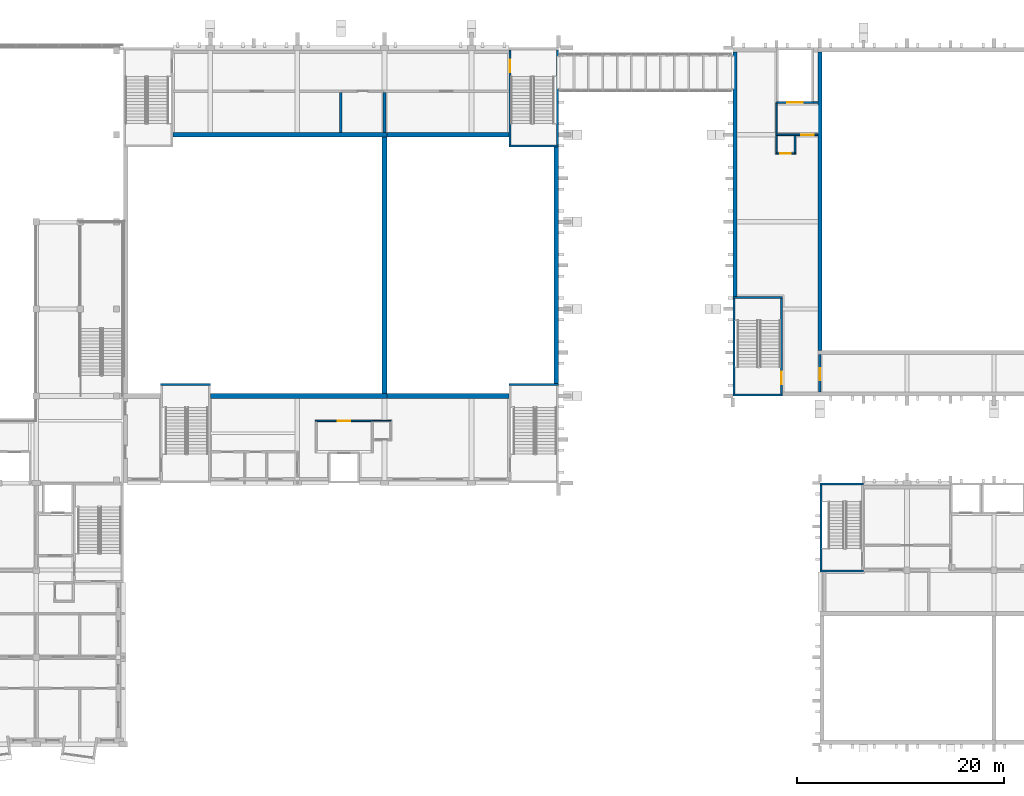
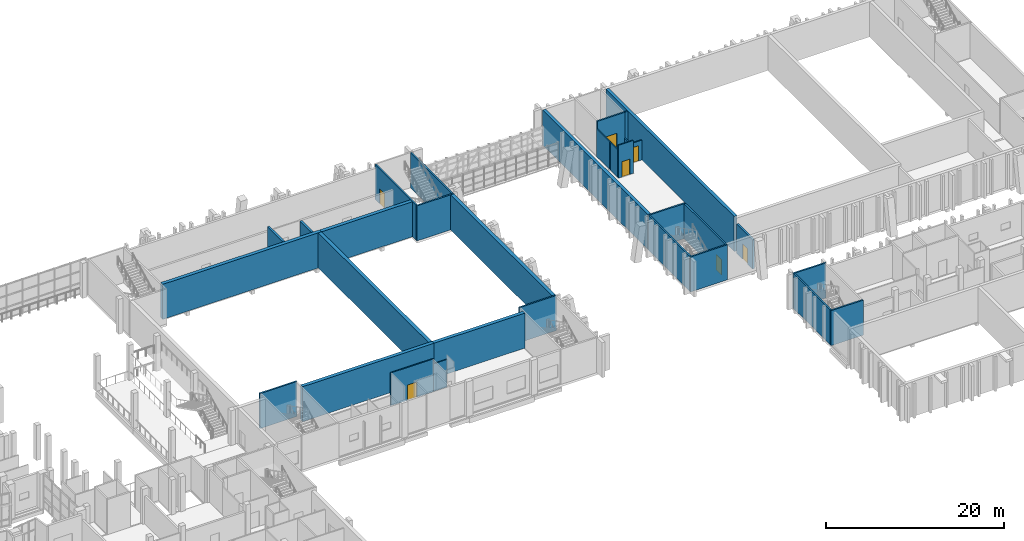
# One storey, part 36 of 91: 32 walls, 7 doors, 7 openings.
"""IFC4 building model written with IfcOpenShell, lengths in metres."""

import ifcopenshell
import ifcopenshell.guid

model = None  # the IFC model being written
_history = None  # IfcOwnerHistory: only IFC2X3 demands one
_inside = {}  # id of a spatial element -> (the spatial element, [elements in it])
_under = {}  # id of a project, library or spatial element -> (it, [spatial elements below it])
_declared = {}  # id of a project -> (the project, [libraries it declares])
_typed = {}  # id of a type object -> (the type object, [elements of that type])
_made_of = {}  # id of a material, layer set ... -> (it, [elements and type objects made of it])


def new_model(schema):
    """Start an empty IFC model of exactly this schema.

    Asked for "IFC4X3", IfcOpenShell would pick the latest addendum, in which some entities
    have other attributes; the version numbers below select the first issue.
    IFC2X3 requires an IfcOwnerHistory on every rooted entity: one is made here for all.
    """
    global model, _history
    if schema == "IFC4X3":
        model = ifcopenshell.file(schema_version=(4, 3, 0, 0))
    else:
        model = ifcopenshell.file(schema=schema)
    _inside.clear()
    _under.clear()
    _declared.clear()
    _typed.clear()
    _made_of.clear()
    _history = None
    if model.schema == "IFC2X3":
        org = make("IfcOrganization", Name="unknown")
        user = make(
            "IfcPersonAndOrganization",
            ThePerson=make("IfcPerson", FamilyName="unknown"),
            TheOrganization=org,
        )
        app = make(
            "IfcApplication",
            ApplicationDeveloper=org,
            Version="unknown",
            ApplicationFullName="unknown",
            ApplicationIdentifier="unknown",
        )
        _history = make(
            "IfcOwnerHistory",
            OwningUser=user,
            OwningApplication=app,
            ChangeAction="ADDED",
            CreationDate=0,
        )
    return model


def make(cls, **values):
    """One entity of the class cls with the attributes given. An attribute that is None is left unset."""
    return model.create_entity(
        cls, **{name: value for name, value in values.items() if value is not None}
    )


def rooted(cls, **values):
    """An entity with a GlobalId (a new one), such as an element, a storey or a relation."""
    return make(cls, GlobalId=ifcopenshell.guid.new(), OwnerHistory=_history, **values)


def si_unit(unit_type, name, prefix=None):
    """IfcSIUnit, for example si_unit("LENGTHUNIT", "METRE", prefix="MILLI")."""
    return make("IfcSIUnit", UnitType=unit_type, Prefix=prefix, Name=name)


def assignment(units):
    """IfcUnitAssignment: the units of a project."""
    return None if units is None else make("IfcUnitAssignment", Units=units)


def point(xyz):
    """IfcCartesianPoint."""
    return None if xyz is None else make("IfcCartesianPoint", Coordinates=xyz)


def direction(xyz):
    """IfcDirection."""
    return None if xyz is None else make("IfcDirection", DirectionRatios=xyz)


def frame(location, z_axis=None, x_axis=None):
    """IfcAxis2Placement3D, a coordinate frame: its origin and axes. An axis left out is left unset."""
    return make(
        "IfcAxis2Placement3D",
        Location=point(location),
        Axis=direction(z_axis),
        RefDirection=direction(x_axis),
    )


def frame_2d(location, x_axis=None):
    """IfcAxis2Placement2D, a coordinate frame in the plane: its origin and x axis."""
    return make(
        "IfcAxis2Placement2D", Location=point(location), RefDirection=direction(x_axis)
    )


def origin():
    """The frame at (0, 0, 0) with its axes left unset."""
    return frame((0.0, 0.0, 0.0))


def place(relative_to, where):
    """IfcLocalPlacement: puts the frame where relative to a parent placement (None: the world)."""
    return make(
        "IfcLocalPlacement", PlacementRelTo=relative_to, RelativePlacement=where
    )


def context(
    kind, dimensions, precision=None, world=None, true_north=None, identifier=None
):
    """IfcGeometricRepresentationContext, for example the 3D "Model" context."""
    return make(
        "IfcGeometricRepresentationContext",
        ContextIdentifier=identifier,
        ContextType=kind,
        CoordinateSpaceDimension=dimensions,
        Precision=precision,
        WorldCoordinateSystem=world,
        TrueNorth=true_north,
    )


def subcontext(parent, identifier, kind, view, scale=None):
    """IfcGeometricRepresentationSubContext, for example "Body" below "Model"."""
    return make(
        "IfcGeometricRepresentationSubContext",
        ContextIdentifier=identifier,
        ContextType=kind,
        ParentContext=parent,
        TargetScale=scale,
        TargetView=view,
    )


def project(units=None, contexts=None):
    """IfcProject with its units and contexts."""
    return rooted(
        "IfcProject",
        Name="project",
        RepresentationContexts=contexts,
        UnitsInContext=assignment(units),
    )


def spatial(cls, under=None, at=None, **own):
    """A site, building, storey or space (cls), placed at a placement, below another one or the project."""
    s = rooted(cls, ObjectPlacement=at, **own)
    if under is not None:
        _under.setdefault(under.id(), (under, []))[1].append(s)
    return s


def profile(cls, at=None, kind="AREA", **sizes):
    """A parametric profile (cls). Its sizes go by their IFC names, for example OverallWidth=200.0."""
    return make(cls, ProfileType=kind, Position=at, **sizes)


def rectangle(**sizes):
    """IfcRectangleProfileDef."""
    return profile("IfcRectangleProfileDef", **sizes)


def extrude(swept, where, along, depth):
    """IfcExtrudedAreaSolid: the profile swept, set in the frame where, extruded along a direction by depth."""
    return make(
        "IfcExtrudedAreaSolid",
        SweptArea=swept,
        Position=where,
        ExtrudedDirection=direction(along),
        Depth=depth,
    )


def shape(context_of_items, identifier, shape_type, items):
    """IfcShapeRepresentation: the items that make up one representation, for example the "Body"."""
    return make(
        "IfcShapeRepresentation",
        ContextOfItems=context_of_items,
        RepresentationIdentifier=identifier,
        RepresentationType=shape_type,
        Items=items,
    )


def material(Name=None, Category=None):
    """IfcMaterial."""
    return make("IfcMaterial", Name=Name, Category=Category)


def layer(
    of_material, thickness, ventilated=None, Name=None, Category=None, Priority=None
):
    """IfcMaterialLayer: one layer of a wall or slab, of a material (None: an air gap)."""
    return make(
        "IfcMaterialLayer",
        Material=of_material,
        LayerThickness=thickness,
        IsVentilated=ventilated,
        Name=Name,
        Category=Category,
        Priority=Priority,
    )


def layer_set(layers, Name=None):
    """IfcMaterialLayerSet."""
    return make("IfcMaterialLayerSet", MaterialLayers=layers, LayerSetName=Name)


def made_of(thing, what):
    """Note that an element or type object is made of a material, layer set ...; save() writes the relation."""
    if what is not None:
        _made_of.setdefault(what.id(), (what, []))[1].append(thing)
    return thing


def type_object(cls, material=None, **own):
    """A type object (cls), such as IfcWallType, which elements share."""
    return made_of(rooted(cls, **own), material)


def element(
    cls,
    number,
    at=None,
    inside=None,
    cuts=None,
    type_object=None,
    material=None,
    context=None,
    identifier="Body",
    shape_type=None,
    held_by="IfcProductDefinitionShape",
    body=None,
    shapes=None,
    **own,
):
    """One element of the class cls, such as IfcWall. Its Tag is "e" and its number.

    at: its placement. inside: the storey or other place that contains it. cuts: it is an
    opening in that element (IfcRelVoidsElement). A single representation is given by context,
    identifier, shape_type and body (its items); several are given by shapes. held_by: the class
    of the entity that holds the representations. save() writes the other relations.
    """
    e = rooted(cls, Tag="e%d" % number, ObjectPlacement=at, **own)
    if body is not None:
        shapes = [shape(context, identifier, shape_type, body)]
    if shapes is not None:
        e.Representation = make(held_by, Representations=shapes)
    if inside is not None:
        _inside.setdefault(inside.id(), (inside, []))[1].append(e)
    if cuts is not None:
        rooted(
            "IfcRelVoidsElement", RelatingBuildingElement=cuts, RelatedOpeningElement=e
        )
    if type_object is not None:
        _typed.setdefault(type_object.id(), (type_object, []))[1].append(e)
    return made_of(e, material)


def fill(opening, filler):
    """IfcRelFillsElement: the door or window that sits in an opening."""
    return rooted(
        "IfcRelFillsElement",
        RelatingOpeningElement=opening,
        RelatedBuildingElement=filler,
    )


def aggregate(whole, parts):
    """IfcRelAggregates: a whole, such as a stair, and the parts it consists of."""
    return rooted("IfcRelAggregates", RelatingObject=whole, RelatedObjects=parts)


def save(model, path):
    """Write the relations noted so far, then the file.

    IfcRelAggregates (storeys below a building ...), IfcRelContainedInSpatialStructure (elements
    in a storey), IfcRelDefinesByType, IfcRelAssociatesMaterial and IfcRelDeclares: one each for
    every whole, place, type object, material and project.
    """
    for whole, parts in _under.values():
        aggregate(whole, parts)
    for where, things in _inside.values():
        rooted(
            "IfcRelContainedInSpatialStructure",
            RelatedElements=things,
            RelatingStructure=where,
        )
    for kind, things in _typed.values():
        rooted("IfcRelDefinesByType", RelatedObjects=things, RelatingType=kind)
    for what, things in _made_of.values():
        rooted("IfcRelAssociatesMaterial", RelatedObjects=things, RelatingMaterial=what)
    for by, libraries in _declared.values():
        rooted("IfcRelDeclares", RelatingContext=by, RelatedDefinitions=libraries)
    model.write(path)


model = new_model("IFC4")

# Units and contexts
model_context = context("Model", 3, precision=1e-05, world=origin(), true_north=direction((0.0, 1.0)))
body_context = subcontext(model_context, "Body", "Model", "MODEL_VIEW")
ifc_project = project(units=[si_unit("LENGTHUNIT", "METRE"), si_unit("AREAUNIT", "SQUARE_METRE"), si_unit("VOLUMEUNIT", "CUBIC_METRE"), si_unit("PLANEANGLEUNIT", "RADIAN"), si_unit("MASSUNIT", "GRAM", prefix="KILO")], contexts=[model_context])

# Site, building, storey
site_placement = place(None, origin())
site = spatial("IfcSite", under=ifc_project, at=site_placement, CompositionType="ELEMENT")
building_placement = place(site_placement, origin())
building = spatial("IfcBuilding", under=site, at=building_placement, Name="Kiln Court Media Centre", CompositionType="ELEMENT")
storey_placement = place(building_placement, frame((0.0, 0.0, 5.39990234375)))
storey = spatial("IfcBuildingStorey", under=building, at=storey_placement, Name="L01", CompositionType="ELEMENT", Elevation=5.39990234375)

# Wall, opening, door
ifc_material_1 = material(Name="Concrete block masonry M7.5", Category="masonry")
ifc_layer_1 = layer(ifc_material_1, 0.14990234375)
ifc_layer_set_1 = layer_set([ifc_layer_1], Name="Block lobby wall 150 EI 120")
wall_type_1 = type_object("IfcWallType", Name="Block lobby wall 150 EI 120", PredefinedType="SOLIDWALL", material=ifc_layer_set_1)
wall_1_placement = place(storey_placement, frame((77.324951171875, 31.199951171875, 0.0), z_axis=(0.0, 0.0, 1.0), x_axis=(1.0, 0.0, 0.0)))
wall_1 = element("IfcWall", 1, at=wall_1_placement, inside=storey, type_object=wall_type_1, Name="L01 block lobby wall", PredefinedType="SOLIDWALL", context=body_context, shape_type="SweptSolid", body=[
    extrude(rectangle(XDim=5.550048828125, YDim=0.14990234375, at=frame_2d((2.77490234375, 0.0))), origin(), (0.0, 0.0, 1.0), 4.5),
])
opening_1_placement = place(wall_1_placement, frame((2.175048828125, 0.0, 0.0)))
opening_1 = element("IfcOpeningElement", 2, at=opening_1_placement, cuts=wall_1, Name="Opening D1022", PredefinedType="OPENING", context=body_context, shape_type="SweptSolid", body=[
    extrude(rectangle(XDim=1.199951171875, YDim=2.10009765625, at=frame_2d((0.60009765625, 1.050048828125))), frame((0.0, 0.0849609375, 0.0), z_axis=(0.0, -1.0, 0.0), x_axis=(1.0, 0.0, 0.0)), (0.0, 0.0, 1.0), 0.169921875),
])
ifc_material_2 = material(Name="Steel S275", Category="steel")
door_type_1 = type_object("IfcDoorType", Name="Steel lobby door 1200 x 2100 FD120", OperationType="SINGLE_SWING_LEFT", PredefinedType="DOOR", material=ifc_material_2)
door_1_placement = place(opening_1_placement, origin())
door_1 = element("IfcDoor", 3, at=door_1_placement, inside=storey, type_object=door_type_1, Name="Cinema Lounge / Fire-fighting Lift Lobby", OperationType="SINGLE_SWING_LEFT", OverallHeight=2.10009765625, OverallWidth=1.199951171875, PredefinedType="DOOR", context=body_context, shape_type="SweptSolid", body=[
    extrude(rectangle(XDim=1.199951171875, YDim=2.10009765625, at=frame_2d((0.60009765625, 1.050048828125))), frame((0.0, 0.02490234375, 0.0), z_axis=(0.0, -1.0, 0.0), x_axis=(1.0, 0.0, 0.0)), (0.0, 0.0, 1.0), 0.050048828125),
])
fill(opening_1, door_1)

wall_2_placement = place(storey_placement, frame((121.72509765625, 58.800048828125, 0.0), z_axis=(0.0, 0.0, 1.0), x_axis=(1.0, 0.0, 0.0)))
wall_2 = element("IfcWall", 4, at=wall_2_placement, inside=storey, type_object=wall_type_1, Name="L01 block lobby wall", PredefinedType="SOLIDWALL", context=body_context, shape_type="SweptSolid", body=[
    extrude(rectangle(XDim=4.074951171875, YDim=0.14990234375, at=frame_2d((2.03759765625, 0.0))), origin(), (0.0, 0.0, 1.0), 2.7001953125),
])
opening_2_placement = place(wall_2_placement, frame((2.47509765625, 0.0, 0.0)))
opening_2 = element("IfcOpeningElement", 5, at=opening_2_placement, cuts=wall_2, Name="Opening D1061", PredefinedType="OPENING", context=body_context, shape_type="SweptSolid", body=[
    extrude(rectangle(XDim=1.199951171875, YDim=2.10009765625, at=frame_2d((0.60009765625, 1.050048828125))), frame((0.0, 0.0849609375, 0.0), z_axis=(0.0, -1.0, 0.0), x_axis=(1.0, 0.0, 0.0)), (0.0, 0.0, 1.0), 0.169921875),
])
door_2_placement = place(opening_2_placement, origin())
door_2 = element("IfcDoor", 6, at=door_2_placement, inside=storey, type_object=door_type_1, Name="Studio Gallery Lobby / Fire-fighting Lift Lobby", OperationType="SINGLE_SWING_RIGHT", OverallHeight=2.10009765625, OverallWidth=1.199951171875, PredefinedType="DOOR", context=body_context, shape_type="SweptSolid", body=[
    extrude(rectangle(XDim=1.199951171875, YDim=2.10009765625, at=frame_2d((0.60009765625, 1.050048828125))), frame((0.0, 0.02490234375, 0.0), z_axis=(0.0, -1.0, 0.0), x_axis=(1.0, 0.0, 0.0)), (0.0, 0.0, 1.0), 0.050048828125),
])
fill(opening_2, door_2)

# Walls
wall_3_placement = place(storey_placement, frame((121.800048828125, 58.875, 0.0), z_axis=(0.0, 0.0, 1.0), x_axis=(0.0, 1.0, 0.0)))
element("IfcWall", 7, at=wall_3_placement, inside=storey, type_object=wall_type_1, Name="L01 block lobby wall", PredefinedType="SOLIDWALL", context=body_context, shape_type="SweptSolid", body=[
    extrude(rectangle(XDim=3.0, YDim=0.14990234375, at=frame_2d((1.5, 0.0))), origin(), (0.0, 0.0, 1.0), 3.800048828125),
])
ifc_material_3 = material(Name="Concrete C40/50", Category="concrete")
ifc_layer_2 = layer(ifc_material_3, 0.39990234375)
ifc_layer_set_2 = layer_set([ifc_layer_2], Name="Concrete C40/50 auditorium wall 400")
wall_type_2 = type_object("IfcWallType", Name="Concrete C40/50 auditorium wall 400", PredefinedType="SHEAR", material=ifc_layer_set_2)
wall_4_placement = place(storey_placement, frame((117.800048828125, 43.199951171875, 0.0), z_axis=(0.0, 0.0, 1.0), x_axis=(0.0, 1.0, 0.0)))
element("IfcWall", 8, at=wall_4_placement, inside=storey, type_object=wall_type_2, Name="L01-W-1146", PredefinedType="SHEAR", context=body_context, shape_type="SweptSolid", body=[
    extrude(rectangle(XDim=23.60009765625, YDim=0.39990234375, at=frame_2d((11.800048828125, 0.0))), origin(), (0.0, 0.0, 1.0), 4.800048828125),
])
ifc_material_4 = material(Name="Concrete C40/50", Category="concrete")
ifc_layer_3 = layer(ifc_material_4, 0.449951171875)
ifc_layer_set_3 = layer_set([ifc_layer_3], Name="Concrete C40/50 auditorium wall 450")
wall_type_3 = type_object("IfcWallType", Name="Concrete C40/50 auditorium wall 450", PredefinedType="SHEAR", material=ifc_layer_set_3)
wall_5_placement = place(storey_placement, frame((84.22509765625, 33.60009765625, 0.0), z_axis=(0.0, 0.0, 1.0), x_axis=(-1.0, 0.0, 0.0)))
element("IfcWall", 9, at=wall_5_placement, inside=storey, type_object=wall_type_3, Name="L01-W-1111", PredefinedType="SHEAR", context=body_context, shape_type="SweptSolid", body=[
    extrude(rectangle(XDim=17.025146484375, YDim=0.449951171875, at=frame_2d((8.5126953125, 0.0))), origin(), (0.0, 0.0, 1.0), 4.800048828125),
])
wall_6_placement = place(storey_placement, frame((63.60009765625, 58.800048828125, 0.0), z_axis=(0.0, 0.0, 1.0), x_axis=(1.0, 0.0, 0.0)))
element("IfcWall", 10, at=wall_6_placement, inside=storey, type_object=wall_type_3, Name="L01-W-1112", PredefinedType="SHEAR", context=body_context, shape_type="SweptSolid", body=[
    extrude(rectangle(XDim=20.625, YDim=0.449951171875, at=frame_2d((10.3125, 0.0))), origin(), (0.0, 0.0, 1.0), 4.800048828125),
])
wall_7_placement = place(storey_placement, frame((84.0, 58.574951171875, 0.0), z_axis=(0.0, 0.0, 1.0), x_axis=(0.0, -1.0, 0.0)))
element("IfcWall", 11, at=wall_7_placement, inside=storey, type_object=wall_type_3, Name="L01-W-1114", PredefinedType="SHEAR", context=body_context, shape_type="SweptSolid", body=[
    extrude(rectangle(XDim=24.75, YDim=0.449951171875, at=frame_2d((12.375, 0.0))), origin(), (0.0, 0.0, 1.0), 4.800048828125),
])
for number, where, z_axis, x_axis, name in (
    (12, (96.0, 33.60009765625, 0.0), (0.0, 0.0, 1.0), (-1.0, 0.0, 0.0), "L01-W-1115"),
    (13, (84.22509765625, 58.800048828125, 0.0), (0.0, 0.0, 1.0), (1.0, 0.0, 0.0), "L01-W-1116"),
):
    element("IfcWall", number, at=place(storey_placement, frame(where, z_axis=z_axis, x_axis=x_axis)), inside=storey, type_object=wall_type_3, Name=name, PredefinedType="SHEAR", context=body_context, shape_type="SweptSolid", body=[
        extrude(rectangle(XDim=11.77490234375, YDim=0.449951171875, at=frame_2d((5.887451171875, 0.0))), origin(), (0.0, 0.0, 1.0), 4.800048828125),
    ])
wall_8_placement = place(storey_placement, frame((100.574951171875, 57.60009765625, 0.0), z_axis=(0.0, 0.0, 1.0), x_axis=(0.0, -1.0, 0.0)))
element("IfcWall", 14, at=wall_8_placement, inside=storey, type_object=wall_type_3, Name="L01-W-1117", PredefinedType="SHEAR", context=body_context, shape_type="SweptSolid", body=[
    extrude(rectangle(XDim=22.800048828125, YDim=0.449951171875, at=frame_2d((11.39990234375, 0.0))), origin(), (0.0, 0.0, 1.0), 4.800048828125),
])
ifc_material_5 = material(Name="Concrete C40/50", Category="concrete")
ifc_layer_4 = layer(ifc_material_5, 0.199951171875)
ifc_layer_set_4 = layer_set([ifc_layer_4], Name="Concrete C40/50 shear wall 200")
wall_type_4 = type_object("IfcWallType", Name="Concrete C40/50 shear wall 200", PredefinedType="SHEAR", material=ifc_layer_set_4)
for number, where, z_axis, x_axis, name in (
    (15, (62.39990234375, 34.699951171875, 0.0), (0.0, 0.0, 1.0), (1.0, 0.0, 0.0), "L01-W-1033"),
    (16, (96.0, 34.699951171875, 0.0), (0.0, 0.0, 1.0), (1.0, 0.0, 0.0), "L01-W-1037"),
    (17, (100.800048828125, 57.699951171875, 0.0), (0.0, 0.0, 1.0), (-1.0, 0.0, 0.0), "L01-W-1044"),
):
    element("IfcWall", number, at=place(storey_placement, frame(where, z_axis=z_axis, x_axis=x_axis)), inside=storey, type_object=wall_type_4, Name=name, PredefinedType="SHEAR", context=body_context, shape_type="SweptSolid", body=[
        extrude(rectangle(XDim=4.800048828125, YDim=0.199951171875, at=frame_2d((2.39990234375, 0.0))), origin(), (0.0, 0.0, 1.0), 4.800048828125),
    ])

# Wall, opening, door
wall_9_placement = place(storey_placement, frame((96.10009765625, 57.800048828125, 0.0), z_axis=(0.0, 0.0, 1.0), x_axis=(0.0, 1.0, 0.0)))
wall_9 = element("IfcWall", 18, at=wall_9_placement, inside=storey, type_object=wall_type_4, Name="L01-W-1046", PredefinedType="SHEAR", context=body_context, shape_type="SweptSolid", body=[
    extrude(rectangle(XDim=9.199951171875, YDim=0.199951171875, at=frame_2d((4.60009765625, 0.0))), origin(), (0.0, 0.0, 1.0), 4.800048828125),
])
opening_3_placement = place(wall_9_placement, frame((7.050048828125, 0.0, 0.0)))
opening_3 = element("IfcOpeningElement", 19, at=opening_3_placement, cuts=wall_9, Name="Opening D1078", PredefinedType="OPENING", context=body_context, shape_type="SweptSolid", body=[
    extrude(rectangle(XDim=1.199951171875, YDim=2.10009765625, at=frame_2d((0.60009765625, 1.050048828125))), frame((0.0, 0.10986328125, 0.0), z_axis=(0.0, -1.0, 0.0), x_axis=(1.0, 0.0, 0.0)), (0.0, 0.0, 1.0), 0.219970703125),
])
ifc_material_6 = material(Name="Steel S275", Category="steel")
door_type_2 = type_object("IfcDoorType", Name="Steel stair door 1200 x 2100 FD180", OperationType="SINGLE_SWING_LEFT", PredefinedType="DOOR", material=ifc_material_6)
door_3_placement = place(opening_3_placement, origin())
door_3 = element("IfcDoor", 20, at=door_3_placement, inside=storey, type_object=door_type_2, Name="Stair 12 / Rear Exit Corridor", OperationType="SINGLE_SWING_RIGHT", OverallHeight=2.10009765625, OverallWidth=1.199951171875, PredefinedType="DOOR", context=body_context, shape_type="SweptSolid", body=[
    extrude(rectangle(XDim=1.199951171875, YDim=2.10009765625, at=frame_2d((0.60009765625, 1.050048828125))), frame((0.0, 0.02490234375, 0.0), z_axis=(0.0, -1.0, 0.0), x_axis=(1.0, 0.0, 0.0)), (0.0, 0.0, 1.0), 0.050048828125),
])
fill(opening_3, door_3)

# Walls
wall_10_placement = place(storey_placement, frame((100.699951171875, 67.0, 0.0), z_axis=(0.0, 0.0, 1.0), x_axis=(0.0, -1.0, 0.0)))
element("IfcWall", 21, at=wall_10_placement, inside=storey, type_object=wall_type_4, Name="L01-W-1047", PredefinedType="SHEAR", context=body_context, shape_type="SweptSolid", body=[
    extrude(rectangle(XDim=9.199951171875, YDim=0.199951171875, at=frame_2d((4.60009765625, 0.0))), origin(), (0.0, 0.0, 1.0), 4.800048828125),
])
for number, where, z_axis, x_axis, name in (
    (22, (122.39990234375, 33.699951171875, 0.0), (0.0, 0.0, 1.0), (-1.0, 0.0, 0.0), "L01-W-1048"),
    (23, (117.60009765625, 43.10009765625, 0.0), (0.0, 0.0, 1.0), (1.0, 0.0, 0.0), "L01-W-1049"),
):
    element("IfcWall", number, at=place(storey_placement, frame(where, z_axis=z_axis, x_axis=x_axis)), inside=storey, type_object=wall_type_4, Name=name, PredefinedType="SHEAR", context=body_context, shape_type="SweptSolid", body=[
        extrude(rectangle(XDim=4.7998046875, YDim=0.199951171875, at=frame_2d((2.39990234375, 0.0))), origin(), (0.0, 0.0, 1.0), 4.800048828125),
    ])
wall_11_placement = place(storey_placement, frame((117.699951171875, 33.800048828125, 0.0), z_axis=(0.0, 0.0, 1.0), x_axis=(0.0, 1.0, 0.0)))
element("IfcWall", 24, at=wall_11_placement, inside=storey, type_object=wall_type_4, Name="L01-W-1050", PredefinedType="SHEAR", context=body_context, shape_type="SweptSolid", body=[
    extrude(rectangle(XDim=9.199951171875, YDim=0.199951171875, at=frame_2d((4.60009765625, 0.0))), origin(), (0.0, 0.0, 1.0), 4.800048828125),
])

# Wall, opening, door
wall_12_placement = place(storey_placement, frame((122.300048828125, 43.0, 0.0), z_axis=(0.0, 0.0, 1.0), x_axis=(0.0, -1.0, 0.0)))
wall_12 = element("IfcWall", 25, at=wall_12_placement, inside=storey, type_object=wall_type_4, Name="L01-W-1051", PredefinedType="SHEAR", context=body_context, shape_type="SweptSolid", body=[
    extrude(rectangle(XDim=9.199951171875, YDim=0.199951171875, at=frame_2d((4.60009765625, 0.0))), origin(), (0.0, 0.0, 1.0), 4.800048828125),
])
opening_4_placement = place(wall_12_placement, frame((7.050048828125, 0.0, 0.0)))
opening_4 = element("IfcOpeningElement", 26, at=opening_4_placement, cuts=wall_12, Name="Opening D1004", PredefinedType="OPENING", context=body_context, shape_type="SweptSolid", body=[
    extrude(rectangle(XDim=1.199951171875, YDim=2.10009765625, at=frame_2d((0.60009765625, 1.050048828125))), frame((0.0, 0.10986328125, 0.0), z_axis=(0.0, -1.0, 0.0), x_axis=(1.0, 0.0, 0.0)), (0.0, 0.0, 1.0), 0.219970703125),
])
door_4_placement = place(opening_4_placement, origin())
door_4 = element("IfcDoor", 27, at=door_4_placement, inside=storey, type_object=door_type_2, Name="Stair 13 / Production Gallery", OperationType="SINGLE_SWING_LEFT", OverallHeight=2.10009765625, OverallWidth=1.199951171875, PredefinedType="DOOR", context=body_context, shape_type="SweptSolid", body=[
    extrude(rectangle(XDim=1.199951171875, YDim=2.10009765625, at=frame_2d((0.60009765625, 1.050048828125))), frame((0.0, 0.02490234375, 0.0), z_axis=(0.0, -1.0, 0.0), x_axis=(1.0, 0.0, 0.0)), (0.0, 0.0, 1.0), 0.050048828125),
])
fill(opening_4, door_4)

# Walls
for number, where, z_axis, x_axis, name in (
    (28, (130.199951171875, 16.699951171875, 0.0), (0.0, 0.0, 1.0), (-1.0, 0.0, 0.0), "L01-W-1060"),
    (29, (126.0, 25.10009765625, 0.0), (0.0, 0.0, 1.0), (1.0, 0.0, 0.0), "L01-W-1061"),
):
    element("IfcWall", number, at=place(storey_placement, frame(where, z_axis=z_axis, x_axis=x_axis)), inside=storey, type_object=wall_type_4, Name=name, PredefinedType="SHEAR", context=body_context, shape_type="SweptSolid", body=[
        extrude(rectangle(XDim=4.199951171875, YDim=0.199951171875, at=frame_2d((2.10009765625, 0.0))), origin(), (0.0, 0.0, 1.0), 4.800048828125),
    ])
wall_13_placement = place(storey_placement, frame((126.10009765625, 16.800048828125, 0.0), z_axis=(0.0, 0.0, 1.0), x_axis=(0.0, 1.0, 0.0)))
element("IfcWall", 30, at=wall_13_placement, inside=storey, type_object=wall_type_4, Name="L01-W-1062", PredefinedType="SHEAR", context=body_context, shape_type="SweptSolid", body=[
    extrude(rectangle(XDim=8.199951171875, YDim=0.199951171875, at=frame_2d((4.10009765625, 0.0))), origin(), (0.0, 0.0, 1.0), 4.800048828125),
])

# Wall, opening, door
wall_14_placement = place(storey_placement, frame((125.39990234375, 61.89990234375, 0.0), z_axis=(0.0, 0.0, 1.0), x_axis=(-1.0, 0.0, 0.0)))
wall_14 = element("IfcWall", 31, at=wall_14_placement, inside=storey, type_object=wall_type_4, Name="L01-W-1094", PredefinedType="SHEAR", context=body_context, shape_type="SweptSolid", body=[
    extrude(rectangle(XDim=3.599853515625, YDim=0.199951171875, at=frame_2d((1.7998046875, 0.0))), origin(), (0.0, 0.0, 1.0), 4.800048828125),
])
opening_5_placement = place(wall_14_placement, frame((1.0498046875, 0.0, 0.0)))
opening_5 = element("IfcOpeningElement", 32, at=opening_5_placement, cuts=wall_14, Name="Opening LD110", PredefinedType="OPENING", context=body_context, shape_type="SweptSolid", body=[
    extrude(rectangle(XDim=1.5, YDim=2.300048828125, at=frame_2d((0.75, 1.14990234375))), frame((0.0, 0.10986328125, 0.0), z_axis=(0.0, -1.0, 0.0), x_axis=(1.0, 0.0, 0.0)), (0.0, 0.0, 1.0), 0.219970703125),
])
ifc_material_7 = material(Name="Stainless steel", Category="steel")
door_type_3 = type_object("IfcDoorType", Name="Goods lift landing door 1500 x 2300 FD120", OperationType="SLIDING_TO_LEFT", PredefinedType="DOOR", material=ifc_material_7)
door_5_placement = place(opening_5_placement, origin())
door_5 = element("IfcDoor", 33, at=door_5_placement, inside=storey, type_object=door_type_3, Name="LF-10 landing door L01", OperationType="SLIDING_TO_LEFT", OverallHeight=2.300048828125, OverallWidth=1.5, PredefinedType="DOOR", context=body_context, shape_type="SweptSolid", body=[
    extrude(rectangle(XDim=1.5, YDim=2.300048828125, at=frame_2d((0.75, 1.14990234375))), frame((0.0, 0.02490234375, 0.0), z_axis=(0.0, -1.0, 0.0), x_axis=(1.0, 0.0, 0.0)), (0.0, 0.0, 1.0), 0.050048828125),
])
fill(opening_5, door_5)

# Walls
wall_15_placement = place(storey_placement, frame((125.800048828125, 61.89990234375, 0.0), z_axis=(0.0, 0.0, 1.0), x_axis=(-1.0, 0.0, 0.0)))
element("IfcWall", 34, at=wall_15_placement, inside=storey, type_object=wall_type_4, Name="L01-W-1158", PredefinedType="SHEAR", context=body_context, shape_type="SweptSolid", body=[
    extrude(rectangle(XDim=0.400146484375, YDim=0.199951171875, at=frame_2d((0.2001953125, 0.0))), origin(), (0.0, 0.0, 1.0), 4.800048828125),
])
ifc_material_8 = material(Name="Concrete C40/50", Category="concrete")
ifc_layer_5 = layer(ifc_material_8, 0.39990234375)
ifc_layer_set_5 = layer_set([ifc_layer_5], Name="Concrete C40/50 studio wall 400")
wall_type_5 = type_object("IfcWallType", Name="Concrete C40/50 studio wall 400", PredefinedType="SHEAR", material=ifc_layer_set_5)
wall_16_placement = place(storey_placement, frame((126.0, 38.0, 0.0), z_axis=(0.0, 0.0, 1.0), x_axis=(0.0, 1.0, 0.0)))
element("IfcWall", 35, at=wall_16_placement, inside=storey, type_object=wall_type_5, Name="L01-W-1127", PredefinedType="SHEAR", context=body_context, shape_type="SweptSolid", body=[
    extrude(rectangle(XDim=28.800048828125, YDim=0.39990234375, at=frame_2d((14.39990234375, 0.0))), origin(), (0.0, 0.0, 1.0), 4.800048828125),
])
ifc_material_9 = material(Name="Gypsum plasterboard", Category="gypsum")
ifc_layer_6 = layer(ifc_material_9, 0.25)
ifc_layer_set_6 = layer_set([ifc_layer_6], Name="Double-leaf acoustic wall 250 EI 120")
wall_type_6 = type_object("IfcWallType", Name="Double-leaf acoustic wall 250 EI 120", PredefinedType="PARTITIONING", material=ifc_layer_set_6)
wall_17_placement = place(storey_placement, frame((79.800048828125, 59.02490234375, 0.0), z_axis=(0.0, 0.0, 1.0), x_axis=(0.0, 1.0, 0.0)))
element("IfcWall", 36, at=wall_17_placement, inside=storey, type_object=wall_type_6, Name="L01 double-leaf acoustic wall", PredefinedType="PARTITIONING", context=body_context, shape_type="SweptSolid", body=[
    extrude(rectangle(XDim=3.85009765625, YDim=0.25, at=frame_2d((1.925048828125, 0.0))), origin(), (0.0, 0.0, 1.0), 4.5),
])
wall_18_placement = place(storey_placement, frame((84.0, 59.02490234375, 0.0), z_axis=(0.0, 0.0, 1.0), x_axis=(0.0, 1.0, 0.0)))
element("IfcWall", 37, at=wall_18_placement, inside=storey, type_object=wall_type_6, Name="L01 double-leaf acoustic wall", PredefinedType="PARTITIONING", context=body_context, shape_type="SweptSolid", body=[
    extrude(rectangle(XDim=3.85009765625, YDim=0.25, at=frame_2d((1.925048828125, 0.0))), origin(), (0.0, 0.0, 1.0), 3.800048828125),
])

# Wall, opening, door
wall_19_placement = place(storey_placement, frame((126.0, 34.0, 0.0), z_axis=(0.0, 0.0, 1.0), x_axis=(0.0, 1.0, 0.0)))
wall_19 = element("IfcWall", 38, at=wall_19_placement, inside=storey, type_object=wall_type_6, Name="L01 double-leaf acoustic wall", PredefinedType="PARTITIONING", context=body_context, shape_type="SweptSolid", body=[
    extrude(rectangle(XDim=3.60009765625, YDim=0.25, at=frame_2d((1.800048828125, 0.0))), origin(), (0.0, 0.0, 1.0), 4.0),
])
opening_6_placement = place(wall_19_placement, frame((1.10009765625, 0.0, 0.0)))
opening_6 = element("IfcOpeningElement", 39, at=opening_6_placement, cuts=wall_19, Name="Opening D1027", PredefinedType="OPENING", context=body_context, shape_type="SweptSolid", body=[
    extrude(rectangle(XDim=1.199951171875, YDim=2.10009765625, at=frame_2d((0.60009765625, 1.050048828125))), frame((0.0, 0.135009765625, 0.0), z_axis=(0.0, -1.0, 0.0), x_axis=(1.0, 0.0, 0.0)), (0.0, 0.0, 1.0), 0.27001953125),
])
ifc_material_10 = material(Name="Steel S275", Category="steel")
door_type_4 = type_object("IfcDoorType", Name="Acoustic studio door 1200 x 2100 FD180", OperationType="SINGLE_SWING_LEFT", PredefinedType="DOOR", material=ifc_material_10)
door_6_placement = place(opening_6_placement, origin())
door_6 = element("IfcDoor", 40, at=door_6_placement, inside=storey, type_object=door_type_4, Name="Production Gallery / Control Room A", OperationType="SINGLE_SWING_RIGHT", OverallHeight=2.10009765625, OverallWidth=1.199951171875, PredefinedType="DOOR", context=body_context, shape_type="SweptSolid", body=[
    extrude(rectangle(XDim=1.199951171875, YDim=2.10009765625, at=frame_2d((0.60009765625, 1.050048828125))), frame((0.0, 0.02490234375, 0.0), z_axis=(0.0, -1.0, 0.0), x_axis=(1.0, 0.0, 0.0)), (0.0, 0.0, 1.0), 0.050048828125),
])
fill(opening_6, door_6)

ifc_material_11 = material(Name="Gypsum plasterboard", Category="gypsum")
ifc_layer_7 = layer(ifc_material_11, 0.14990234375)
ifc_layer_set_7 = layer_set([ifc_layer_7], Name="Gypsum corridor partition 150 EI 60")
wall_type_7 = type_object("IfcWallType", Name="Gypsum corridor partition 150 EI 60", PredefinedType="PARTITIONING", material=ifc_layer_set_7)
wall_20_placement = place(storey_placement, frame((121.72509765625, 57.0, 0.0), z_axis=(0.0, 0.0, 1.0), x_axis=(1.0, 0.0, 0.0)))
wall_20 = element("IfcWall", 41, at=wall_20_placement, inside=storey, type_object=wall_type_7, Name="L01 gypsum corridor partition", PredefinedType="PARTITIONING", context=body_context, shape_type="SweptSolid", body=[
    extrude(rectangle(XDim=1.949951171875, YDim=0.14990234375, at=frame_2d((0.97509765625, 0.0))), origin(), (0.0, 0.0, 1.0), 4.5),
])
opening_7_placement = place(wall_20_placement, frame((0.47509765625, 0.0, 0.0)))
opening_7 = element("IfcOpeningElement", 42, at=opening_7_placement, cuts=wall_20, Name="Opening D1060", PredefinedType="OPENING", context=body_context, shape_type="SweptSolid", body=[
    extrude(rectangle(XDim=1.0, YDim=2.10009765625, at=frame_2d((0.5, 1.050048828125))), frame((0.0, 0.0849609375, 0.0), z_axis=(0.0, -1.0, 0.0), x_axis=(1.0, 0.0, 0.0)), (0.0, 0.0, 1.0), 0.169921875),
])
ifc_material_12 = material(Name="Steel S275", Category="steel")
door_type_5 = type_object("IfcDoorType", Name="Steel corridor door 1000 x 2100 FD30S", OperationType="SINGLE_SWING_LEFT", PredefinedType="DOOR", material=ifc_material_12)
door_7_placement = place(opening_7_placement, origin())
door_7 = element("IfcDoor", 43, at=door_7_placement, inside=storey, type_object=door_type_5, Name="Studio Gallery Lobby / Wheelchair Refuge", OperationType="SINGLE_SWING_LEFT", OverallHeight=2.10009765625, OverallWidth=1.0, PredefinedType="DOOR", context=body_context, shape_type="SweptSolid", body=[
    extrude(rectangle(XDim=1.0, YDim=2.10009765625, at=frame_2d((0.5, 1.050048828125))), frame((0.0, 0.02490234375, 0.0), z_axis=(0.0, -1.0, 0.0), x_axis=(1.0, 0.0, 0.0)), (0.0, 0.0, 1.0), 0.050048828125),
])
fill(opening_7, door_7)

# Walls
for number, where, z_axis, x_axis, name in (
    (44, (121.800048828125, 57.074951171875, 0.0), (0.0, 0.0, 1.0), (0.0, 1.0, 0.0), "L01 gypsum corridor partition"),
    (45, (123.60009765625, 57.074951171875, 0.0), (0.0, 0.0, 1.0), (0.0, 1.0, 0.0), "L01 gypsum corridor partition"),
):
    element("IfcWall", number, at=place(storey_placement, frame(where, z_axis=z_axis, x_axis=x_axis)), inside=storey, type_object=wall_type_7, Name=name, PredefinedType="PARTITIONING", context=body_context, shape_type="SweptSolid", body=[
        extrude(rectangle(XDim=1.650146484375, YDim=0.14990234375, at=frame_2d((0.8251953125, 0.0))), origin(), (0.0, 0.0, 1.0), 3.800048828125),
    ])
ifc_material_13 = material(Name="Gypsum plasterboard", Category="gypsum")
ifc_layer_8 = layer(ifc_material_13, 0.10009765625)
ifc_layer_set_8 = layer_set([ifc_layer_8], Name="Gypsum stud partition 100")
wall_type_8 = type_object("IfcWallType", Name="Gypsum stud partition 100", PredefinedType="PARTITIONING", material=ifc_layer_set_8)
wall_21_placement = place(storey_placement, frame((82.875, 31.199951171875, 0.0), z_axis=(0.0, 0.0, 1.0), x_axis=(1.0, 0.0, 0.0)))
element("IfcWall", 46, at=wall_21_placement, inside=storey, type_object=wall_type_8, Name="L01 gypsum stud partition", PredefinedType="PARTITIONING", context=body_context, shape_type="SweptSolid", body=[
    extrude(rectangle(XDim=1.77490234375, YDim=0.10009765625, at=frame_2d((0.887451171875, 0.0))), origin(), (0.0, 0.0, 1.0), 3.800048828125),
])

save(model, "model.ifc")
